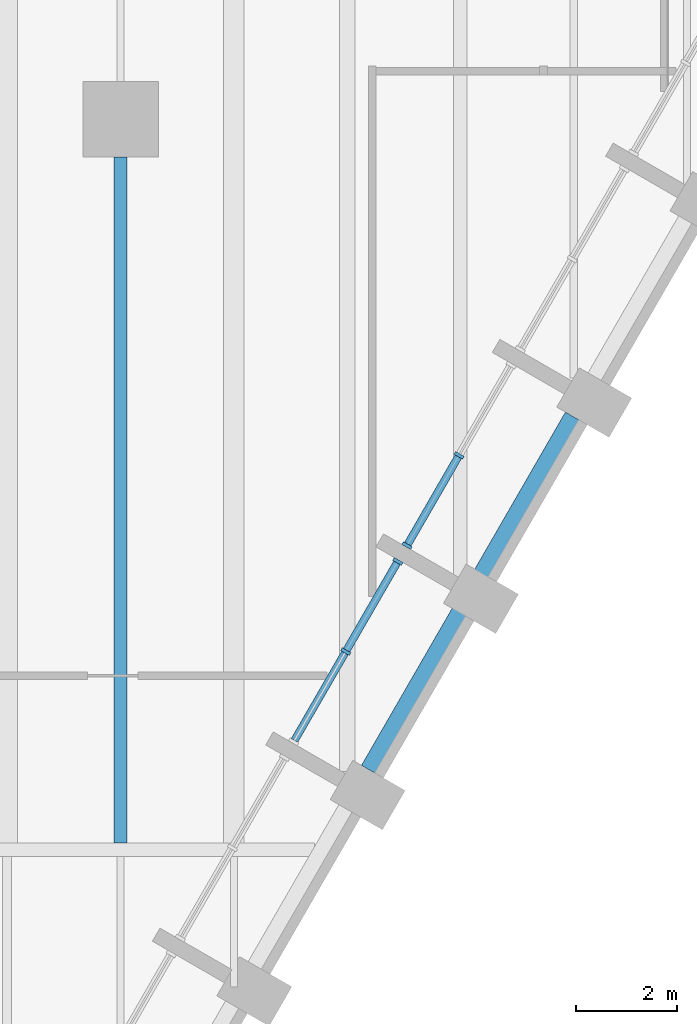
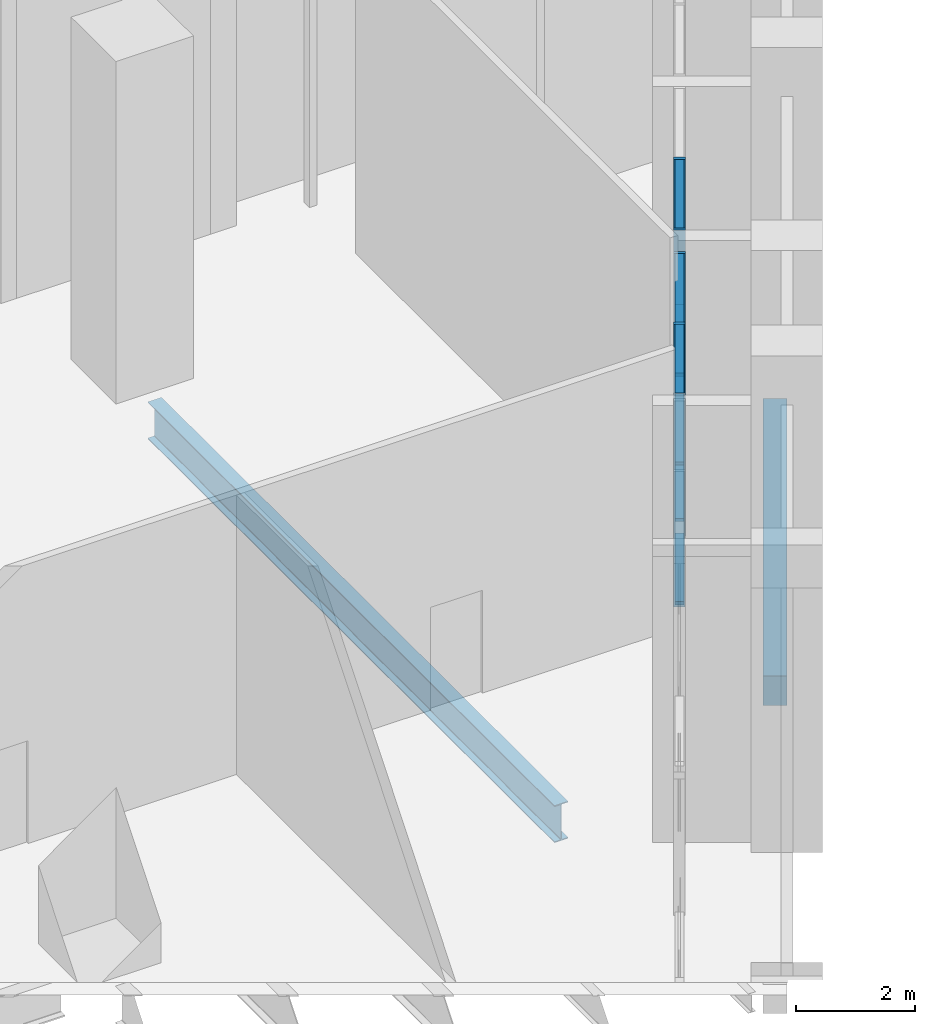
# One storey, part 4 of 17: 11 members, 2 beams, 2 elements without a shape of their own.
"""IFC4 building model written with IfcOpenShell, lengths in metres."""

from ifc_helpers import new_model, si_unit, direction, frame, origin, origin_2d, place, context, subcontext, project, spatial, rectangle, i_section, extrude, material, material_profile, profile_set, type_object, element, aggregate, save


model = new_model("IFC4")

# Units and contexts
model_context = context("Model", 3, precision=1e-05, world=origin(), true_north=direction((0.0, 1.0)))
body_context = subcontext(model_context, "Body", "Model", "MODEL_VIEW")
ifc_project = project(units=[si_unit("LENGTHUNIT", "METRE"), si_unit("AREAUNIT", "SQUARE_METRE"), si_unit("VOLUMEUNIT", "CUBIC_METRE"), si_unit("PLANEANGLEUNIT", "RADIAN"), si_unit("MASSUNIT", "GRAM", prefix="KILO")], contexts=[model_context])

# Site, building, storey
site_placement = place(None, origin())
site = spatial("IfcSite", under=ifc_project, at=site_placement, CompositionType="ELEMENT")
building_placement = place(site_placement, origin())
building = spatial("IfcBuilding", under=site, at=building_placement, Name="Calabash Gate Tower", CompositionType="ELEMENT")
storey_placement = place(building_placement, frame((0.0, 0.0, 132.60009765625)))
storey = spatial("IfcBuildingStorey", under=building, at=storey_placement, Name="L31", CompositionType="ELEMENT", Elevation=132.60009765625)

# Beams
ifc_material_1 = material(Name="Concrete C60/75", Category="concrete")
ifc_material_profile_1 = material_profile(ifc_material_1, rectangle(XDim=0.39990234375, YDim=0.60009765625, at=origin_2d()))
ifc_profile_set_1 = profile_set([ifc_material_profile_1], Name="Concrete C60/75")
beam_type_1 = type_object("IfcBeamType", Name="Edge beam RC 400x600 Concrete C60/75", PredefinedType="BEAM", material=ifc_profile_set_1)
beam_1_placement = place(storey_placement, frame((13.9580078125, -10.427978515625, -0.47021484375), z_axis=(0.499999880539, 0.866025472755, 0.0), x_axis=(-0.866025472755, 0.499999880539, 0.0)))
element("IfcBeam", 1, at=beam_1_placement, inside=storey, type_object=beam_type_1, Name="Edge beam L31 8", PredefinedType="BEAM", context=body_context, shape_type="SweptSolid", body=[
    extrude(rectangle(XDim=0.39990234375, YDim=0.60009765625, at=origin_2d()), origin(), (0.0, 0.0, 1.0), 8.10009765625),
])
ifc_material_2 = material(Name="Steel ASTM A992 Gr50", Category="steel")
ifc_material_profile_2 = material_profile(ifc_material_2, i_section(OverallWidth=0.2666015625, OverallDepth=0.7568359375, WebThickness=0.013916015625, FlangeThickness=0.019287109375, FilletRadius=0.0166015625, at=origin_2d()))
ifc_profile_set_2 = profile_set([ifc_material_profile_2], Name="Steel ASTM A992 Gr50")
beam_type_2 = type_object("IfcBeamType", Name="Floor beam W30x108 ASTM A992 Gr50", PredefinedType="BEAM", material=ifc_profile_set_2)
beam_2_placement = place(storey_placement, frame((9.0, -11.866943359375, -0.548095703125), z_axis=(0.0, 1.0, 0.0), x_axis=(-1.0, 0.0, 0.0)))
element("IfcBeam", 2, at=beam_2_placement, inside=storey, type_object=beam_type_2, Name="Floor beam L31 26", PredefinedType="BEAM", context=body_context, shape_type="SweptSolid", body=[
    extrude(i_section(OverallWidth=0.2666015625, OverallDepth=0.7568359375, WebThickness=0.013916015625, FlangeThickness=0.019287109375, FilletRadius=0.0166015625, at=origin_2d()), origin(), (0.0, 0.0, 1.0), 13.616943359375),
])

# Curtain wall, members
ifc_material_3 = material(Name="Anodised aluminium frame, bronze finish, clear laminated low-emissivity glazing", Category="aluminium")
curtain_wall_type = type_object("IfcCurtainWallType", Name="Curtain wall CWS sky lobby wall", PredefinedType="NOTDEFINED", material=ifc_material_3)
curtain_wall_1_placement = place(storey_placement, origin())
curtain_wall_1 = element("IfcCurtainWall", 3, at=curtain_wall_1_placement, inside=storey, type_object=curtain_wall_type, Name="Curtain wall CWS L31 SE2.5", PredefinedType="NOTDEFINED")
ifc_material_4 = material(Name="Anodised aluminium frame, bronze finish", Category="aluminium")
ifc_material_profile_3 = material_profile(ifc_material_4, rectangle(XDim=0.199951171875, YDim=0.06494140625, at=origin_2d()))
ifc_profile_set_3 = profile_set([ifc_material_profile_3], Name="Anodised aluminium frame, bronze finish")
member_type_1 = type_object("IfcMemberType", Name="Mullion CWS 65x200", PredefinedType="MULLION", material=ifc_profile_set_3)
member_1_placement = place(storey_placement, frame((13.47265625, -8.0693359375, 0.0), z_axis=(0.0, 0.0, 1.0), x_axis=(-0.866025362359, 0.500000071751, 0.0)))
member_1 = element("IfcMember", 4, at=member_1_placement, type_object=member_type_1, Name="CWS mullion 2", PredefinedType="MULLION", context=body_context, shape_type="SweptSolid", body=[
    extrude(rectangle(XDim=0.199951171875, YDim=0.06494140625, at=origin_2d()), origin(), (0.0, 0.0, 1.0), 5.77783203125),
])
member_2_placement = place(storey_placement, frame((14.506591796875, -6.27880859375, 0.0), z_axis=(0.0, 0.0, 1.0), x_axis=(-0.866025362359, 0.500000071751, 0.0)))
member_2 = element("IfcMember", 5, at=member_2_placement, type_object=member_type_1, Name="CWS mullion 3", PredefinedType="MULLION", context=body_context, shape_type="SweptSolid", body=[
    extrude(rectangle(XDim=0.199951171875, YDim=0.06494140625, at=origin_2d()), origin(), (0.0, 0.0, 1.0), 5.77783203125),
])

curtain_wall_2_placement = place(storey_placement, origin())
curtain_wall_2 = element("IfcCurtainWall", 6, at=curtain_wall_2_placement, inside=storey, type_object=curtain_wall_type, Name="Curtain wall CWS L31 SE2.6", PredefinedType="NOTDEFINED")
member_3_placement = place(storey_placement, frame((14.68896484375, -5.962890625, 0.0), z_axis=(0.0, 0.0, 1.0), x_axis=(-0.866025421884, 0.499999968652, 0.0)))
member_3 = element("IfcMember", 7, at=member_3_placement, type_object=member_type_1, Name="CWS mullion 1", PredefinedType="MULLION", context=body_context, shape_type="SweptSolid", body=[
    extrude(rectangle(XDim=0.199951171875, YDim=0.06494140625, at=origin_2d()), origin(), (0.0, 0.0, 1.0), 6.0),
])
member_4_placement = place(storey_placement, frame((15.72265625, -4.17236328125, 0.0), z_axis=(0.0, 0.0, 1.0), x_axis=(-0.866025421884, 0.499999968652, 0.0)))
member_4 = element("IfcMember", 8, at=member_4_placement, type_object=member_type_1, Name="CWS mullion 2", PredefinedType="MULLION", context=body_context, shape_type="SweptSolid", body=[
    extrude(rectangle(XDim=0.199951171875, YDim=0.06494140625, at=origin_2d()), origin(), (0.0, 0.0, 1.0), 6.0),
])

# Member
ifc_material_5 = material(Name="Anodised aluminium frame, bronze finish", Category="aluminium")
ifc_material_profile_4 = material_profile(ifc_material_5, rectangle(XDim=0.14990234375, YDim=0.06494140625, at=origin_2d()))
ifc_profile_set_4 = profile_set([ifc_material_profile_4], Name="Anodised aluminium frame, bronze finish")
member_type_2 = type_object("IfcMemberType", Name="Transom CWS 65x150", PredefinedType="USERDEFINED", material=ifc_profile_set_4)
member_5_placement = place(storey_placement, frame((12.455322265625, -9.831787109375, 5.745361328125), z_axis=(0.500007410291, 0.866021125408, 0.0), x_axis=(-0.866021125408, 0.500007410291, 0.0)))
member_5 = element("IfcMember", 9, at=member_5_placement, type_object=member_type_2, Name="CWS transom 1.3", ObjectType="TRANSOM", PredefinedType="USERDEFINED", context=body_context, shape_type="SweptSolid", body=[
    extrude(rectangle(XDim=0.14990234375, YDim=0.06494140625, at=origin_2d()), origin(), (0.0, 0.0, 1.0), 2.00244140625),
])

member_6_placement = place(storey_placement, frame((13.489013671875, -8.041259765625, 0.032470703125), z_axis=(0.500007410291, 0.866021125408, 0.0), x_axis=(-0.866021125408, 0.500007410291, 0.0)))
member_6 = element("IfcMember", 10, at=member_6_placement, type_object=member_type_2, Name="CWS transom 2.1", ObjectType="TRANSOM", PredefinedType="USERDEFINED", context=body_context, shape_type="SweptSolid", body=[
    extrude(rectangle(XDim=0.14990234375, YDim=0.06494140625, at=origin_2d()), origin(), (0.0, 0.0, 1.0), 2.00244140625),
])

member_7_placement = place(storey_placement, frame((13.489013671875, -8.041259765625, 2.888916015625), z_axis=(0.500007410291, 0.866021125408, 0.0), x_axis=(-0.866021125408, 0.500007410291, 0.0)))
member_7 = element("IfcMember", 11, at=member_7_placement, type_object=member_type_2, Name="CWS transom 2.2", ObjectType="TRANSOM", PredefinedType="USERDEFINED", context=body_context, shape_type="SweptSolid", body=[
    extrude(rectangle(XDim=0.14990234375, YDim=0.06494140625, at=origin_2d()), origin(), (0.0, 0.0, 1.0), 2.00244140625),
])

member_8_placement = place(storey_placement, frame((13.489013671875, -8.041259765625, 5.745361328125), z_axis=(0.500007410291, 0.866021125408, 0.0), x_axis=(-0.866021125408, 0.500007410291, 0.0)))
member_8 = element("IfcMember", 12, at=member_8_placement, type_object=member_type_2, Name="CWS transom 2.3", ObjectType="TRANSOM", PredefinedType="USERDEFINED", context=body_context, shape_type="SweptSolid", body=[
    extrude(rectangle(XDim=0.14990234375, YDim=0.06494140625, at=origin_2d()), origin(), (0.0, 0.0, 1.0), 2.00244140625),
])

aggregate(curtain_wall_1, [member_1, member_2, member_5, member_6, member_7, member_8])

member_9_placement = place(storey_placement, frame((14.705322265625, -5.9345703125, 0.032470703125), z_axis=(0.500007410291, 0.866021125408, 0.0), x_axis=(-0.866021125408, 0.500007410291, 0.0)))
member_9 = element("IfcMember", 13, at=member_9_placement, type_object=member_type_2, Name="CWS transom 1.1", ObjectType="TRANSOM", PredefinedType="USERDEFINED", context=body_context, shape_type="SweptSolid", body=[
    extrude(rectangle(XDim=0.14990234375, YDim=0.06494140625, at=origin_2d()), origin(), (0.0, 0.0, 1.0), 2.00244140625),
])

member_10_placement = place(storey_placement, frame((14.705322265625, -5.9345703125, 3.0), z_axis=(0.500007410291, 0.866021125408, 0.0), x_axis=(-0.866021125408, 0.500007410291, 0.0)))
member_10 = element("IfcMember", 14, at=member_10_placement, type_object=member_type_2, Name="CWS transom 1.2", ObjectType="TRANSOM", PredefinedType="USERDEFINED", context=body_context, shape_type="SweptSolid", body=[
    extrude(rectangle(XDim=0.14990234375, YDim=0.06494140625, at=origin_2d()), origin(), (0.0, 0.0, 1.0), 2.00244140625),
])

member_11_placement = place(storey_placement, frame((14.705322265625, -5.9345703125, 5.96728515625), z_axis=(0.500007410291, 0.866021125408, 0.0), x_axis=(-0.866021125408, 0.500007410291, 0.0)))
member_11 = element("IfcMember", 15, at=member_11_placement, type_object=member_type_2, Name="CWS transom 1.3", ObjectType="TRANSOM", PredefinedType="USERDEFINED", context=body_context, shape_type="SweptSolid", body=[
    extrude(rectangle(XDim=0.14990234375, YDim=0.06494140625, at=origin_2d()), origin(), (0.0, 0.0, 1.0), 2.00244140625),
])

aggregate(curtain_wall_2, [member_3, member_4, member_9, member_10, member_11])

save(model, "model.ifc")
